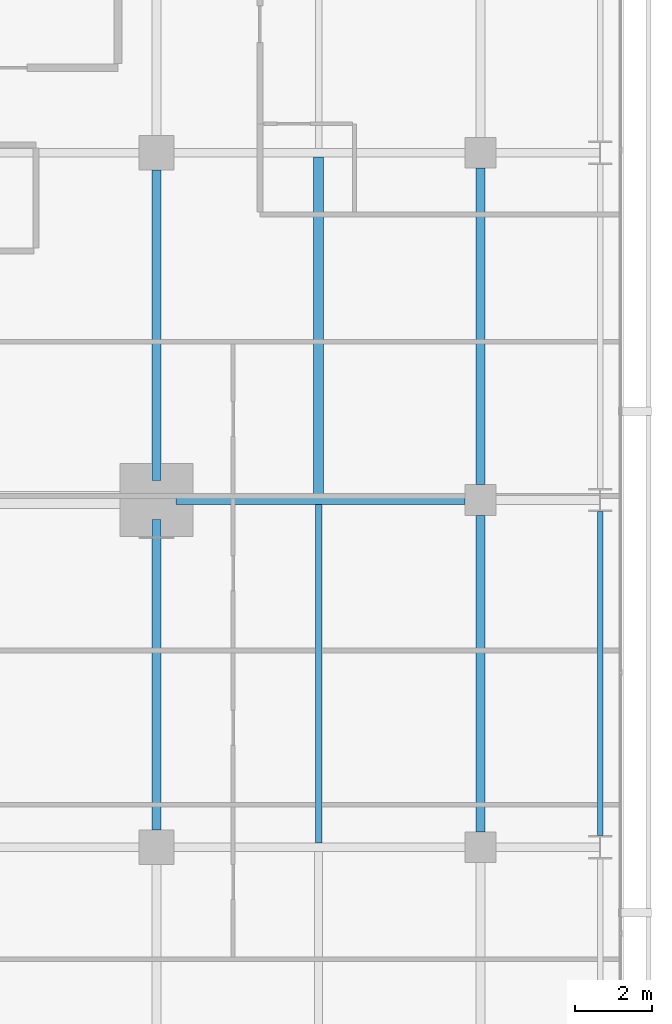
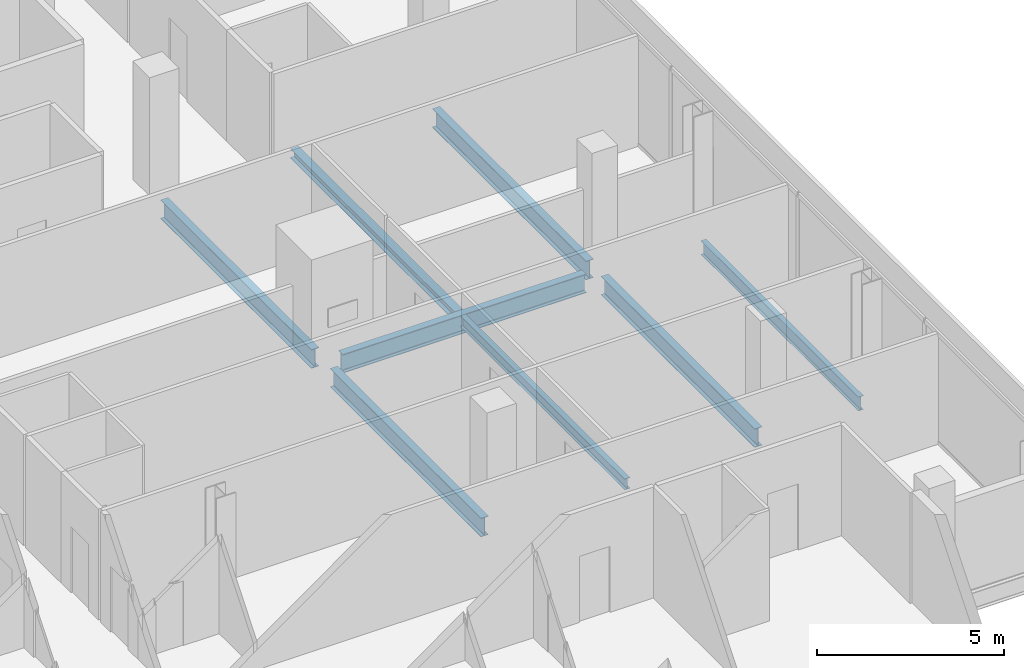
# One storey, part 16 of 34: 8 beams.
"""IFC4 building model written with IfcOpenShell, lengths in metres."""

from ifc_helpers import new_model, si_unit, direction, frame, origin, origin_2d, place, context, subcontext, project, spatial, i_section, extrude, material, material_profile, profile_set, type_object, element, save


model = new_model("IFC4")

# Units and contexts
model_context = context("Model", 3, precision=1e-05, world=origin(), true_north=direction((0.0, 1.0)))
body_context = subcontext(model_context, "Body", "Model", "MODEL_VIEW")
ifc_project = project(units=[si_unit("LENGTHUNIT", "METRE"), si_unit("AREAUNIT", "SQUARE_METRE"), si_unit("VOLUMEUNIT", "CUBIC_METRE"), si_unit("PLANEANGLEUNIT", "RADIAN"), si_unit("MASSUNIT", "GRAM", prefix="KILO")], contexts=[model_context])

# Site, building, storey
site_placement = place(None, origin())
site = spatial("IfcSite", under=ifc_project, at=site_placement, CompositionType="ELEMENT")
building_placement = place(site_placement, origin())
building = spatial("IfcBuilding", under=site, at=building_placement, Name="Maruvema Waterfront Hotel and Observation Tower", CompositionType="ELEMENT")
storey_placement = place(building_placement, frame((0.0, 0.0, 127.39990234375)))
storey = spatial("IfcBuildingStorey", under=building, at=storey_placement, Name="L30", CompositionType="ELEMENT", Elevation=127.39990234375)

# Beams
ifc_material_1 = material(Name="Steel ASTM A572 Grade 50", Category="steel")
ifc_material_profile_1 = material_profile(ifc_material_1, i_section(OverallWidth=0.153076171875, OverallDepth=0.455078125, WebThickness=0.008056640625, FlangeThickness=0.01318359375, FilletRadius=0.014892578125, at=origin_2d()), Name="W460x60.0")
ifc_profile_set_1 = profile_set([ifc_material_profile_1], Name="Steel ASTM A572 Grade 50")
beam_type_1 = type_object("IfcBeamType", Name="Perimeter Spandrel Beam W460x60.0", PredefinedType="SPANDREL", material=ifc_profile_set_1)
beam_1_placement = place(storey_placement, frame((61.89990234375, 18.300048828125, -0.46728515625), z_axis=(0.0, 1.0, 0.0), x_axis=(-1.0, 0.0, 0.0)))
element("IfcBeam", 1, at=beam_1_placement, inside=storey, type_object=beam_type_1, Name="L30 Floor Girder NS-30", PredefinedType="SPANDREL", context=body_context, shape_type="SweptSolid", body=[
    extrude(i_section(OverallWidth=0.153076171875, OverallDepth=0.455078125, WebThickness=0.008056640625, FlangeThickness=0.01318359375, FilletRadius=0.014892578125, at=origin_2d()), origin(), (0.0, 0.0, 1.0), 8.39990234375),
])
ifc_material_2 = material(Name="Steel ASTM A572 Grade 50", Category="steel")
ifc_material_profile_2 = material_profile(ifc_material_2, i_section(OverallWidth=0.22900390625, OverallDepth=0.612060546875, WebThickness=0.011962890625, FlangeThickness=0.01953125, FilletRadius=0.01806640625, at=origin_2d()), Name="W610x125.0")
ifc_profile_set_2 = profile_set([ifc_material_profile_2], Name="Steel ASTM A572 Grade 50")
beam_type_2 = type_object("IfcBeamType", Name="Primary Floor Girder W610x125.0", PredefinedType="BEAM", material=ifc_profile_set_2)
beam_2_placement = place(storey_placement, frame((50.89990234375, 27.0, -0.5458984375), z_axis=(1.0, 0.0, 0.0), x_axis=(0.0, 1.0, 0.0)))
element("IfcBeam", 2, at=beam_2_placement, inside=storey, type_object=beam_type_2, Name="L30 Floor Girder EW-21", PredefinedType="BEAM", context=body_context, shape_type="SweptSolid", body=[
    extrude(i_section(OverallWidth=0.22900390625, OverallDepth=0.612060546875, WebThickness=0.011962890625, FlangeThickness=0.01953125, FilletRadius=0.01806640625, at=origin_2d()), origin(), (0.0, 0.0, 1.0), 7.5),
])
for number, where, z_axis, x_axis, name in (
    (3, (50.39990234375, 18.449951171875, -0.5458984375), (0.0, 1.0, 0.0), (-1.0, 0.0, 0.0), "L30 Floor Girder NS-22"),
    (4, (50.39990234375, 27.5, -0.5458984375), (0.0, 1.0, 0.0), (-1.0, 0.0, 0.0), "L30 Floor Girder NS-23"),
):
    element("IfcBeam", number, at=place(storey_placement, frame(where, z_axis=z_axis, x_axis=x_axis)), inside=storey, type_object=beam_type_2, Name=name, PredefinedType="BEAM", context=body_context, shape_type="SweptSolid", body=[
        extrude(i_section(OverallWidth=0.22900390625, OverallDepth=0.612060546875, WebThickness=0.011962890625, FlangeThickness=0.01953125, FilletRadius=0.01806640625, at=origin_2d()), origin(), (0.0, 0.0, 1.0), 8.050048828125),
    ])
for number, where, z_axis, x_axis, name in (
    (5, (58.800048828125, 18.39990234375, -0.5458984375), (0.0, 1.0, 0.0), (-1.0, 0.0, 0.0), "L30 Floor Girder NS-26"),
    (6, (58.800048828125, 27.39990234375, -0.5458984375), (0.0, 1.0, 0.0), (-1.0, 0.0, 0.0), "L30 Floor Girder NS-27"),
):
    element("IfcBeam", number, at=place(storey_placement, frame(where, z_axis=z_axis, x_axis=x_axis)), inside=storey, type_object=beam_type_2, Name=name, PredefinedType="BEAM", context=body_context, shape_type="SweptSolid", body=[
        extrude(i_section(OverallWidth=0.22900390625, OverallDepth=0.612060546875, WebThickness=0.011962890625, FlangeThickness=0.01953125, FilletRadius=0.01806640625, at=origin_2d()), origin(), (0.0, 0.0, 1.0), 8.2001953125),
    ])
ifc_material_3 = material(Name="Steel ASTM A572 Grade 50", Category="steel")
ifc_material_profile_3 = material_profile(ifc_material_3, i_section(OverallWidth=0.25390625, OverallDepth=0.305908203125, WebThickness=0.0087890625, FlangeThickness=0.0146484375, FilletRadius=0.014892578125, at=origin_2d()), Name="W310x79.0")
ifc_profile_set_3 = profile_set([ifc_material_profile_3], Name="Steel ASTM A572 Grade 50")
beam_type_3 = type_object("IfcBeamType", Name="Secondary Floor Joist W310x79.0", PredefinedType="JOIST", material=ifc_profile_set_3)
beam_3_placement = place(storey_placement, frame((54.60009765625, 27.114501953125, -0.392822265625), z_axis=(0.0, 1.0, 0.0), x_axis=(-1.0, 0.0, 0.0)))
element("IfcBeam", 7, at=beam_3_placement, inside=storey, type_object=beam_type_3, Name="L30 Secondary Floor Joist JS-13", PredefinedType="JOIST", context=body_context, shape_type="SweptSolid", body=[
    extrude(i_section(OverallWidth=0.25390625, OverallDepth=0.305908203125, WebThickness=0.0087890625, FlangeThickness=0.0146484375, FilletRadius=0.014892578125, at=origin_2d()), origin(), (0.0, 0.0, 1.0), 8.77099609375),
])
ifc_material_4 = material(Name="Steel ASTM A572 Grade 50", Category="steel")
ifc_material_profile_4 = material_profile(ifc_material_4, i_section(OverallWidth=0.1708984375, OverallDepth=0.35498046875, WebThickness=0.007080078125, FlangeThickness=0.01171875, FilletRadius=0.014892578125, at=origin_2d()), Name="W360x51.0")
ifc_profile_set_4 = profile_set([ifc_material_profile_4], Name="Steel ASTM A572 Grade 50")
beam_type_4 = type_object("IfcBeamType", Name="Secondary Floor Joist W360x51.0", PredefinedType="JOIST", material=ifc_profile_set_4)
beam_4_placement = place(storey_placement, frame((54.60009765625, 18.114501953125, -0.41748046875), z_axis=(0.0, 1.0, 0.0), x_axis=(-1.0, 0.0, 0.0)))
element("IfcBeam", 8, at=beam_4_placement, inside=storey, type_object=beam_type_4, Name="L30 Secondary Floor Joist JS-12", PredefinedType="JOIST", context=body_context, shape_type="SweptSolid", body=[
    extrude(i_section(OverallWidth=0.1708984375, OverallDepth=0.35498046875, WebThickness=0.007080078125, FlangeThickness=0.01171875, FilletRadius=0.014892578125, at=origin_2d()), origin(), (0.0, 0.0, 1.0), 8.77099609375),
])

save(model, "model.ifc")
